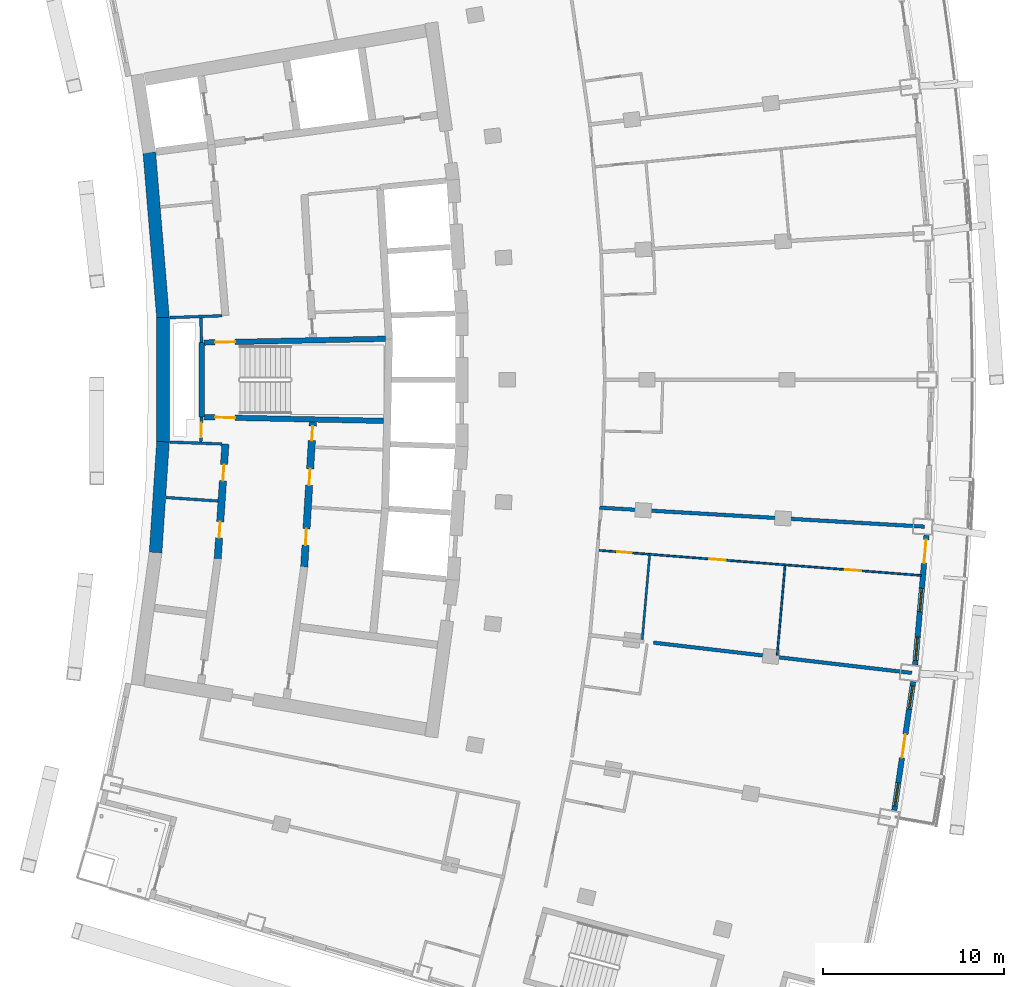
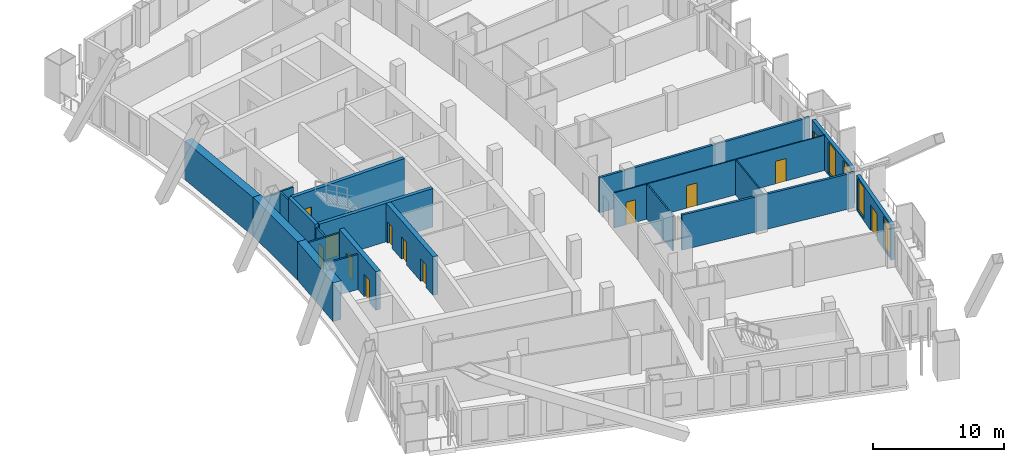
# One storey, part 12 of 19: 20 walls, 13 doors, 4 windows, 17 openings.
"""IFC4 building model written with IfcOpenShell, lengths in metres."""

from ifc_helpers import new_model, si_unit, direction, frame, frame_2d, origin, place, context, subcontext, project, spatial, rectangle, extrude, material, layer, layer_set, type_object, element, fill, save


model = new_model("IFC4")

# Units and contexts
model_context = context("Model", 3, precision=1e-05, world=origin(), true_north=direction((0.0, 1.0)))
body_context = subcontext(model_context, "Body", "Model", "MODEL_VIEW")
ifc_project = project(units=[si_unit("LENGTHUNIT", "METRE"), si_unit("AREAUNIT", "SQUARE_METRE"), si_unit("VOLUMEUNIT", "CUBIC_METRE"), si_unit("PLANEANGLEUNIT", "RADIAN"), si_unit("MASSUNIT", "GRAM", prefix="KILO")], contexts=[model_context])

# Site, building, storey
site_placement = place(None, origin())
site = spatial("IfcSite", under=ifc_project, at=site_placement, CompositionType="ELEMENT")
building_placement = place(site_placement, origin())
building = spatial("IfcBuilding", under=site, at=building_placement, Name="Alderwake Tower", CompositionType="ELEMENT")
storey_placement = place(building_placement, frame((0.0, 0.0, 171.199951171875)))
storey = spatial("IfcBuildingStorey", under=building, at=storey_placement, Name="L42", CompositionType="ELEMENT", Elevation=171.199951171875)

# Wall, opening, door
ifc_material_1 = material(Name="Gypsum shaft wall system, rated")
ifc_layer_1 = layer(ifc_material_1, 0.14990234375)
ifc_layer_set_1 = layer_set([ifc_layer_1], Name="Core room partition 150")
wall_type_1 = type_object("IfcWallType", Name="Core room partition 150", PredefinedType="PARTITIONING", material=ifc_layer_set_1)
wall_1_placement = place(storey_placement, frame((18.918701171875, 58.94384765625, 0.0), z_axis=(0.0, 0.0, 1.0), x_axis=(-0.027811602725, -0.999613182563, 0.0)))
wall_1 = element("IfcWall", 1, at=wall_1_placement, inside=storey, type_object=wall_type_1, Name="CW/L42/PA+24_-37", PredefinedType="PARTITIONING", context=body_context, shape_type="SweptSolid", body=[
    extrude(rectangle(XDim=1.369384765625, YDim=0.14990234375, at=frame_2d((0.6845703125, 0.0))), origin(), (0.0, 0.0, 1.0), 3.280029296875),
])
opening_1_placement = place(wall_1_placement, frame((0.322998046875, 0.0, 0.0)))
opening_1 = element("IfcOpeningElement", 2, at=opening_1_placement, cuts=wall_1, Name="Opening C004", PredefinedType="OPENING", context=body_context, shape_type="SweptSolid", body=[
    extrude(rectangle(XDim=0.800048828125, YDim=2.0, at=frame_2d((0.39990234375, 1.0))), frame((0.0, 0.0849609375, 0.0), z_axis=(0.0, -1.0, 0.0), x_axis=(1.0, 0.0, 0.0)), (0.0, 0.0, 1.0), 0.169921875),
])
ifc_material_2 = material(Name="Painted steel leaf, rated", Category="steel")
door_type_1 = type_object("IfcDoorType", Name="Riser access door 800", OperationType="SINGLE_SWING_LEFT", PredefinedType="DOOR", material=ifc_material_2)
door_1_placement = place(opening_1_placement, origin())
door_1 = element("IfcDoor", 3, at=door_1_placement, inside=storey, type_object=door_type_1, Name="Riser access door", OperationType="SINGLE_SWING_RIGHT", OverallHeight=2.0, OverallWidth=0.800048828125, PredefinedType="DOOR", context=body_context, shape_type="SweptSolid", body=[
    extrude(rectangle(XDim=0.800048828125, YDim=2.0, at=frame_2d((0.39990234375, 1.0))), frame((0.0, 0.02490234375, 0.0), z_axis=(0.0, -1.0, 0.0), x_axis=(1.0, 0.0, 0.0)), (0.0, 0.0, 1.0), 0.050048828125),
])
fill(opening_1, door_1)

# Walls
wall_2_placement = place(storey_placement, frame((18.918701171875, 63.05517578125, 0.0), z_axis=(0.0, 0.0, 1.0), x_axis=(-0.027791791559, 0.99961373356, 0.0)))
element("IfcWall", 4, at=wall_2_placement, inside=storey, type_object=wall_type_1, Name="CW/L42/PA+24_+22", PredefinedType="PARTITIONING", context=body_context, shape_type="SweptSolid", body=[
    extrude(rectangle(XDim=1.370361328125, YDim=0.14990234375, at=frame_2d((0.68505859375, 0.0))), origin(), (0.0, 0.0, 1.0), 3.280029296875),
])
wall_3_placement = place(storey_placement, frame((16.964111328125, 54.49951171875, 0.0), z_axis=(0.0, 0.0, 1.0), x_axis=(0.997759473015, -0.066903168895, 0.0)))
element("IfcWall", 5, at=wall_3_placement, inside=storey, type_object=wall_type_1, Name="CW/L42/PR-70_+0", PredefinedType="PARTITIONING", context=body_context, shape_type="SweptSolid", body=[
    extrude(rectangle(XDim=2.8681640625, YDim=0.14990234375, at=frame_2d((1.43408203125, 0.0))), origin(), (0.0, 0.0, 1.0), 3.280029296875),
])
wall_4_placement = place(storey_placement, frame((17.169189453125, 57.560546875, 0.0), z_axis=(0.0, 0.0, 1.0), x_axis=(0.999373538371, -0.03539111194, 0.0)))
element("IfcWall", 6, at=wall_4_placement, inside=storey, type_object=wall_type_1, Name="CW/L42/PR-37_+0", PredefinedType="PARTITIONING", context=body_context, shape_type="SweptSolid", body=[
    extrude(rectangle(XDim=2.86962890625, YDim=0.14990234375, at=frame_2d((1.434814453125, 0.0))), origin(), (0.0, 0.0, 1.0), 3.280029296875),
])
wall_5_placement = place(storey_placement, frame((17.16943359375, 64.439453125, 0.0), z_axis=(0.0, 0.0, 1.0), x_axis=(0.999373431798, 0.035394121201, 0.0)))
element("IfcWall", 7, at=wall_5_placement, inside=storey, type_object=wall_type_1, Name="CW/L42/PR+37_+0", PredefinedType="PARTITIONING", context=body_context, shape_type="SweptSolid", body=[
    extrude(rectangle(XDim=2.869384765625, YDim=0.14990234375, at=frame_2d((1.4345703125, 0.0))), origin(), (0.0, 0.0, 1.0), 3.280029296875),
])
ifc_material_3 = material(Name="Concrete C70/85", Category="concrete")
ifc_layer_2 = layer(ifc_material_3, 0.699951171875)
ifc_layer_set_2 = layer_set([ifc_layer_2], Name="Core wall outer 700 C70-85")
wall_type_2 = type_object("IfcWallType", Name="Core wall outer 700 C70-85", PredefinedType="SHEAR", material=ifc_layer_set_2)
wall_6_placement = place(storey_placement, frame((16.379638671875, 51.46337890625, 0.0), z_axis=(0.0, 0.0, 1.0), x_axis=(0.066917731608, 0.997758496429, 0.0)))
element("IfcWall", 8, at=wall_6_placement, inside=storey, type_object=wall_type_2, Name="Core wall CW.041", PredefinedType="SHEAR", context=body_context, shape_type="SweptSolid", body=[
    extrude(rectangle(XDim=6.136474609375, YDim=0.699951171875, at=frame_2d((3.068359375, 0.0))), origin(), (0.0, 0.0, 1.0), 3.60009765625),
])
wall_7_placement = place(storey_placement, frame((16.789306640625, 57.561767578125, 0.0), z_axis=(0.0, 0.0, 1.0), x_axis=(0.0, 1.0, 0.0)))
element("IfcWall", 9, at=wall_7_placement, inside=storey, type_object=wall_type_2, Name="Core wall CW.043", PredefinedType="SHEAR", context=body_context, shape_type="SweptSolid", body=[
    extrude(rectangle(XDim=6.87939453125, YDim=0.699951171875, at=frame_2d((3.439697265625, 0.0))), origin(), (0.0, 0.0, 1.0), 3.60009765625),
])
wall_8_placement = place(storey_placement, frame((16.79052734375, 64.4111328125, 0.0), z_axis=(0.0, 0.0, 1.0), x_axis=(-0.082616907099, 0.996581379849, 0.0)))
element("IfcWall", 10, at=wall_8_placement, inside=storey, type_object=wall_type_2, Name="Core wall CW.040", PredefinedType="SHEAR", context=body_context, shape_type="SweptSolid", body=[
    extrude(rectangle(XDim=9.193359375, YDim=0.699951171875, at=frame_2d((4.5966796875, 0.0))), origin(), (0.0, 0.0, 1.0), 3.60009765625),
])

# Wall, openings, doors
ifc_material_4 = material(Name="Concrete C70/85", Category="concrete")
ifc_layer_3 = layer(ifc_material_4, 0.39990234375)
ifc_layer_set_3 = layer_set([ifc_layer_3], Name="Core wall spine 400 C70-85")
wall_type_3 = type_object("IfcWallType", Name="Core wall spine 400 C70-85", PredefinedType="SHEAR", material=ifc_layer_set_3)
wall_9_placement = place(storey_placement, frame((20.2373046875, 57.451904296875, 0.0), z_axis=(0.0, 0.0, 1.0), x_axis=(-0.066887252767, -0.997760540118, 0.0)))
wall_9 = element("IfcWall", 11, at=wall_9_placement, inside=storey, type_object=wall_type_3, Name="Core wall CW.032", PredefinedType="SHEAR", context=body_context, shape_type="SweptSolid", body=[
    extrude(rectangle(XDim=6.33642578125, YDim=0.39990234375, at=frame_2d((3.168212890625, 0.0))), origin(), (0.0, 0.0, 1.0), 3.60009765625),
])
opening_2_placement = place(wall_9_placement, frame((4.29736328125, 0.0, 0.0)))
opening_2 = element("IfcOpeningElement", 12, at=opening_2_placement, cuts=wall_9, Name="Opening C038", PredefinedType="OPENING", context=body_context, shape_type="SweptSolid", body=[
    extrude(rectangle(XDim=0.89990234375, YDim=2.10009765625, at=frame_2d((0.449951171875, 1.050048828125))), frame((0.0, 0.2099609375, 0.0), z_axis=(0.0, -1.0, 0.0), x_axis=(1.0, 0.0, 0.0)), (0.0, 0.0, 1.0), 0.419921875),
])
opening_3_placement = place(wall_9_placement, frame((1.132080078125, 0.0, 0.0)))
opening_3 = element("IfcOpeningElement", 13, at=opening_3_placement, cuts=wall_9, Name="Opening C042", PredefinedType="OPENING", context=body_context, shape_type="SweptSolid", body=[
    extrude(rectangle(XDim=0.89990234375, YDim=2.10009765625, at=frame_2d((0.449951171875, 1.050048828125))), frame((0.0, 0.2099609375, 0.0), z_axis=(0.0, -1.0, 0.0), x_axis=(1.0, 0.0, 0.0)), (0.0, 0.0, 1.0), 0.419921875),
])
ifc_material_5 = material(Name="Painted steel leaf", Category="steel")
door_type_2 = type_object("IfcDoorType", Name="Core room door 900", OperationType="SINGLE_SWING_LEFT", PredefinedType="DOOR", material=ifc_material_5)
door_2_placement = place(opening_2_placement, origin())
door_2 = element("IfcDoor", 14, at=door_2_placement, inside=storey, type_object=door_type_2, Name="Room door", OperationType="SINGLE_SWING_RIGHT", OverallHeight=2.10009765625, OverallWidth=0.89990234375, PredefinedType="DOOR", context=body_context, shape_type="SweptSolid", body=[
    extrude(rectangle(XDim=0.89990234375, YDim=2.10009765625, at=frame_2d((0.449951171875, 1.050048828125))), frame((0.0, 0.02490234375, 0.0), z_axis=(0.0, -1.0, 0.0), x_axis=(1.0, 0.0, 0.0)), (0.0, 0.0, 1.0), 0.050048828125),
])
fill(opening_2, door_2)
door_3_placement = place(opening_3_placement, origin())
door_3 = element("IfcDoor", 15, at=door_3_placement, inside=storey, type_object=door_type_2, Name="Room door", OperationType="SINGLE_SWING_LEFT", OverallHeight=2.10009765625, OverallWidth=0.89990234375, PredefinedType="DOOR", context=body_context, shape_type="SweptSolid", body=[
    extrude(rectangle(XDim=0.89990234375, YDim=2.10009765625, at=frame_2d((0.449951171875, 1.050048828125))), frame((0.0, 0.02490234375, 0.0), z_axis=(0.0, -1.0, 0.0), x_axis=(1.0, 0.0, 0.0)), (0.0, 0.0, 1.0), 0.050048828125),
])
fill(opening_3, door_3)

wall_10_placement = place(storey_placement, frame((24.590087890625, 50.656982421875, 0.0), z_axis=(0.0, 0.0, 1.0), x_axis=(0.060320473855, 0.99817906231, 0.0)))
wall_10 = element("IfcWall", 16, at=wall_10_placement, inside=storey, type_object=wall_type_3, Name="Core wall CW.046", PredefinedType="SHEAR", context=body_context, shape_type="SweptSolid", body=[
    extrude(rectangle(XDim=8.02197265625, YDim=0.39990234375, at=frame_2d((4.010986328125, 0.0))), origin(), (0.0, 0.0, 1.0), 3.60009765625),
])
opening_4_placement = place(wall_10_placement, frame((7.005859375, 0.0, 0.0)))
opening_4 = element("IfcOpeningElement", 17, at=opening_4_placement, cuts=wall_10, Name="Opening C006", PredefinedType="OPENING", context=body_context, shape_type="SweptSolid", body=[
    extrude(rectangle(XDim=0.800048828125, YDim=2.0, at=frame_2d((0.39990234375, 1.0))), frame((0.0, 0.2099609375, 0.0), z_axis=(0.0, -1.0, 0.0), x_axis=(1.0, 0.0, 0.0)), (0.0, 0.0, 1.0), 0.419921875),
])
opening_5_placement = place(wall_10_placement, frame((1.21533203125, 0.0, 0.0)))
opening_5 = element("IfcOpeningElement", 18, at=opening_5_placement, cuts=wall_10, Name="Opening C044", PredefinedType="OPENING", context=body_context, shape_type="SweptSolid", body=[
    extrude(rectangle(XDim=0.89990234375, YDim=2.10009765625, at=frame_2d((0.449951171875, 1.050048828125))), frame((0.0, 0.2099609375, 0.0), z_axis=(0.0, -1.0, 0.0), x_axis=(1.0, 0.0, 0.0)), (0.0, 0.0, 1.0), 0.419921875),
])
opening_6_placement = place(wall_10_placement, frame((4.53173828125, 0.0, 0.0)))
opening_6 = element("IfcOpeningElement", 19, at=opening_6_placement, cuts=wall_10, Name="Opening C048", PredefinedType="OPENING", context=body_context, shape_type="SweptSolid", body=[
    extrude(rectangle(XDim=0.89990234375, YDim=2.10009765625, at=frame_2d((0.449951171875, 1.050048828125))), frame((0.0, 0.2099609375, 0.0), z_axis=(0.0, -1.0, 0.0), x_axis=(1.0, 0.0, 0.0)), (0.0, 0.0, 1.0), 0.419921875),
])
door_4_placement = place(opening_5_placement, origin())
door_4 = element("IfcDoor", 20, at=door_4_placement, inside=storey, type_object=door_type_2, Name="Room door", OperationType="SINGLE_SWING_RIGHT", OverallHeight=2.10009765625, OverallWidth=0.89990234375, PredefinedType="DOOR", context=body_context, shape_type="SweptSolid", body=[
    extrude(rectangle(XDim=0.89990234375, YDim=2.10009765625, at=frame_2d((0.449951171875, 1.050048828125))), frame((0.0, 0.02490234375, 0.0), z_axis=(0.0, -1.0, 0.0), x_axis=(1.0, 0.0, 0.0)), (0.0, 0.0, 1.0), 0.050048828125),
])
fill(opening_5, door_4)
door_5_placement = place(opening_6_placement, origin())
door_5 = element("IfcDoor", 21, at=door_5_placement, inside=storey, type_object=door_type_2, Name="Room door", OperationType="SINGLE_SWING_LEFT", OverallHeight=2.10009765625, OverallWidth=0.89990234375, PredefinedType="DOOR", context=body_context, shape_type="SweptSolid", body=[
    extrude(rectangle(XDim=0.89990234375, YDim=2.10009765625, at=frame_2d((0.449951171875, 1.050048828125))), frame((0.0, 0.02490234375, 0.0), z_axis=(0.0, -1.0, 0.0), x_axis=(1.0, 0.0, 0.0)), (0.0, 0.0, 1.0), 0.050048828125),
])
fill(opening_6, door_5)
door_6_placement = place(opening_4_placement, origin())
door_6 = element("IfcDoor", 22, at=door_6_placement, inside=storey, type_object=door_type_1, Name="Riser access door", OperationType="SINGLE_SWING_RIGHT", OverallHeight=2.0, OverallWidth=0.800048828125, PredefinedType="DOOR", context=body_context, shape_type="SweptSolid", body=[
    extrude(rectangle(XDim=0.800048828125, YDim=2.0, at=frame_2d((0.39990234375, 1.0))), frame((0.0, 0.02490234375, 0.0), z_axis=(0.0, -1.0, 0.0), x_axis=(1.0, 0.0, 0.0)), (0.0, 0.0, 1.0), 0.050048828125),
])
fill(opening_4, door_6)

# Wall
ifc_material_6 = material(Name="Concrete C70/85", Category="concrete")
ifc_layer_4 = layer(ifc_material_6, 0.300048828125)
ifc_layer_set_4 = layer_set([ifc_layer_4], Name="Core wall stair enclosure 300 C70-85")
wall_type_4 = type_object("IfcWallType", Name="Core wall stair enclosure 300 C70-85", PredefinedType="SHEAR", material=ifc_layer_set_4)
wall_11_placement = place(storey_placement, frame((18.918701171875, 58.940673828125, 0.0), z_axis=(0.0, 0.0, 1.0), x_axis=(0.0, 1.0, 0.0)))
element("IfcWall", 23, at=wall_11_placement, inside=storey, type_object=wall_type_4, Name="Core wall CW.024", PredefinedType="SHEAR", context=body_context, shape_type="SweptSolid", body=[
    extrude(rectangle(XDim=4.11962890625, YDim=0.300048828125, at=frame_2d((2.059814453125, 0.0))), origin(), (0.0, 0.0, 1.0), 3.60009765625),
])

# Wall, opening, door
wall_12_placement = place(storey_placement, frame((28.975830078125, 58.733154296875, 0.0), z_axis=(0.0, 0.0, 1.0), x_axis=(-0.999783782948, 0.020793925895, 0.0)))
wall_12 = element("IfcWall", 24, at=wall_12_placement, inside=storey, type_object=wall_type_4, Name="Core wall CW.074", PredefinedType="SHEAR", context=body_context, shape_type="SweptSolid", body=[
    extrude(rectangle(XDim=9.909423828125, YDim=0.300048828125, at=frame_2d((4.95458984375, 0.0))), origin(), (0.0, 0.0, 1.0), 3.60009765625),
])
opening_7_placement = place(wall_12_placement, frame((8.20947265625, 0.0, 0.0)))
opening_7 = element("IfcOpeningElement", 25, at=opening_7_placement, cuts=wall_12, Name="Opening C063", PredefinedType="OPENING", context=body_context, shape_type="SweptSolid", body=[
    extrude(rectangle(XDim=1.10009765625, YDim=2.10009765625, at=frame_2d((0.550048828125, 1.050048828125))), frame((0.0, 0.159912109375, 0.0), z_axis=(0.0, -1.0, 0.0), x_axis=(1.0, 0.0, 0.0)), (0.0, 0.0, 1.0), 0.320068359375),
])
ifc_material_7 = material(Name="Steel-framed fire door leaf", Category="steel")
door_type_3 = type_object("IfcDoorType", Name="Core stair door 1100 fire-rated", OperationType="SINGLE_SWING_LEFT", PredefinedType="DOOR", material=ifc_material_7)
door_7_placement = place(opening_7_placement, origin())
door_7 = element("IfcDoor", 26, at=door_7_placement, inside=storey, type_object=door_type_3, Name="Stair door", OperationType="SINGLE_SWING_LEFT", OverallHeight=2.10009765625, OverallWidth=1.10009765625, PredefinedType="DOOR", context=body_context, shape_type="SweptSolid", body=[
    extrude(rectangle(XDim=1.10009765625, YDim=2.10009765625, at=frame_2d((0.550048828125, 1.050048828125))), frame((0.0, 0.02490234375, 0.0), z_axis=(0.0, -1.0, 0.0), x_axis=(1.0, 0.0, 0.0)), (0.0, 0.0, 1.0), 0.050048828125),
])
fill(opening_7, door_7)

wall_13_placement = place(storey_placement, frame((19.068603515625, 63.060791015625, 0.0), z_axis=(0.0, 0.0, 1.0), x_axis=(0.999783553773, 0.02080494185, 0.0)))
wall_13 = element("IfcWall", 27, at=wall_13_placement, inside=storey, type_object=wall_type_4, Name="Core wall CW.057", PredefinedType="SHEAR", context=body_context, shape_type="SweptSolid", body=[
    extrude(rectangle(XDim=10.009765625, YDim=0.300048828125, at=frame_2d((5.0048828125, 0.0))), origin(), (0.0, 0.0, 1.0), 3.60009765625),
])
opening_8_placement = place(wall_13_placement, frame((0.60009765625, 0.0, 0.0)))
opening_8 = element("IfcOpeningElement", 28, at=opening_8_placement, cuts=wall_13, Name="Opening C064", PredefinedType="OPENING", context=body_context, shape_type="SweptSolid", body=[
    extrude(rectangle(XDim=1.10009765625, YDim=2.10009765625, at=frame_2d((0.550048828125, 1.050048828125))), frame((0.0, 0.159912109375, 0.0), z_axis=(0.0, -1.0, 0.0), x_axis=(1.0, 0.0, 0.0)), (0.0, 0.0, 1.0), 0.320068359375),
])
door_8_placement = place(opening_8_placement, origin())
door_8 = element("IfcDoor", 29, at=door_8_placement, inside=storey, type_object=door_type_3, Name="Stair door", OperationType="SINGLE_SWING_RIGHT", OverallHeight=2.10009765625, OverallWidth=1.10009765625, PredefinedType="DOOR", context=body_context, shape_type="SweptSolid", body=[
    extrude(rectangle(XDim=1.10009765625, YDim=2.10009765625, at=frame_2d((0.550048828125, 1.050048828125))), frame((0.0, 0.02490234375, 0.0), z_axis=(0.0, -1.0, 0.0), x_axis=(1.0, 0.0, 0.0)), (0.0, 0.0, 1.0), 0.050048828125),
])
fill(opening_8, door_8)

# Wall, openings, door, windows
ifc_material_8 = material(Name="Precast concrete C50/60 spandrel panel", Category="concrete")
ifc_layer_5 = layer(ifc_material_8, 0.300048828125)
ifc_layer_set_5 = layer_set([ifc_layer_5], Name="External wall EW1 Precast concrete C50/60 spandrel")
wall_type_5 = type_object("IfcWallType", Name="External wall EW1 Precast concrete C50/60 spandrel", PredefinedType="SOLIDWALL", material=ifc_layer_set_5)
wall_14_placement = place(storey_placement, frame((57.19189453125, 37.2236328125, 0.0), z_axis=(0.0, 0.0, 1.0), x_axis=(0.145316694365, 0.989385192096, 0.0)))
wall_14 = element("IfcWall", 30, at=wall_14_placement, inside=storey, type_object=wall_type_5, Name="External wall 13", PredefinedType="SOLIDWALL", context=body_context, shape_type="SweptSolid", body=[
    extrude(rectangle(XDim=7.175537109375, YDim=0.300048828125, at=frame_2d((3.587890625, 0.0))), origin(), (0.0, 0.0, 1.0), 3.280029296875),
])
opening_9_placement = place(wall_14_placement, frame((0.2353515625, 0.0, 0.199951171875)))
opening_9 = element("IfcOpeningElement", 31, at=opening_9_placement, cuts=wall_14, Name="Opening W1", PredefinedType="OPENING", context=body_context, shape_type="SweptSolid", body=[
    extrude(rectangle(XDim=1.300048828125, YDim=2.89990234375, at=frame_2d((0.64990234375, 1.449951171875))), frame((0.0, 0.159912109375, 0.0), z_axis=(0.0, -1.0, 0.0), x_axis=(1.0, 0.0, 0.0)), (0.0, 0.0, 1.0), 0.320068359375),
])
opening_10_placement = place(wall_14_placement, frame((2.937744140625, 0.0, 0.0)))
opening_10 = element("IfcOpeningElement", 32, at=opening_10_placement, cuts=wall_14, Name="Opening D02", PredefinedType="OPENING", context=body_context, shape_type="SweptSolid", body=[
    extrude(rectangle(XDim=1.300048828125, YDim=2.39990234375, at=frame_2d((0.64990234375, 1.199951171875))), frame((0.0, 0.159912109375, 0.0), z_axis=(0.0, -1.0, 0.0), x_axis=(1.0, 0.0, 0.0)), (0.0, 0.0, 1.0), 0.320068359375),
])
opening_11_placement = place(wall_14_placement, frame((5.64013671875, 0.0, 0.199951171875)))
opening_11 = element("IfcOpeningElement", 33, at=opening_11_placement, cuts=wall_14, Name="Opening W1", PredefinedType="OPENING", context=body_context, shape_type="SweptSolid", body=[
    extrude(rectangle(XDim=1.300048828125, YDim=2.89990234375, at=frame_2d((0.64990234375, 1.449951171875))), frame((0.0, 0.159912109375, 0.0), z_axis=(0.0, -1.0, 0.0), x_axis=(1.0, 0.0, 0.0)), (0.0, 0.0, 1.0), 0.320068359375),
])
ifc_material_9 = material(Name="Bronze tinted glass in aluminium frame", Category="aluminium")
door_type_4 = type_object("IfcDoorType", Name="Balcony door BD sliding", OperationType="SLIDING_TO_LEFT", PredefinedType="DOOR", material=ifc_material_9)
door_9_placement = place(opening_10_placement, origin())
door_9 = element("IfcDoor", 34, at=door_9_placement, inside=storey, type_object=door_type_4, Name="Door D02", OperationType="SLIDING_TO_LEFT", OverallHeight=2.39990234375, OverallWidth=1.300048828125, PredefinedType="DOOR", context=body_context, shape_type="SweptSolid", body=[
    extrude(rectangle(XDim=1.300048828125, YDim=2.39990234375, at=frame_2d((0.64990234375, 1.199951171875))), frame((0.0, 0.02490234375, 0.0), z_axis=(0.0, -1.0, 0.0), x_axis=(1.0, 0.0, 0.0)), (0.0, 0.0, 1.0), 0.050048828125),
])
fill(opening_10, door_9)
ifc_material_10 = material(Name="Bronze tinted glass in aluminium frame", Category="aluminium")
window_type = type_object("IfcWindowType", Name="Window W1 tall fixed and vent", PartitioningType="DOUBLE_PANEL_VERTICAL", PredefinedType="WINDOW", material=ifc_material_10)
window_1_placement = place(opening_9_placement, origin())
window_1 = element("IfcWindow", 35, at=window_1_placement, inside=storey, type_object=window_type, Name="Window W1 tall fixed and vent", OverallHeight=2.89990234375, OverallWidth=1.300048828125, PartitioningType="DOUBLE_PANEL_VERTICAL", PredefinedType="WINDOW", context=body_context, shape_type="SweptSolid", body=[
    extrude(rectangle(XDim=1.300048828125, YDim=2.89990234375, at=frame_2d((0.64990234375, 1.449951171875))), frame((0.0, 0.030029296875, 0.0), z_axis=(0.0, -1.0, 0.0), x_axis=(1.0, 0.0, 0.0)), (0.0, 0.0, 1.0), 0.06005859375),
])
fill(opening_9, window_1)
window_2_placement = place(opening_11_placement, origin())
window_2 = element("IfcWindow", 36, at=window_2_placement, inside=storey, type_object=window_type, Name="Window W1 tall fixed and vent", OverallHeight=2.89990234375, OverallWidth=1.300048828125, PartitioningType="DOUBLE_PANEL_VERTICAL", PredefinedType="WINDOW", context=body_context, shape_type="SweptSolid", body=[
    extrude(rectangle(XDim=1.300048828125, YDim=2.89990234375, at=frame_2d((0.64990234375, 1.449951171875))), frame((0.0, 0.030029296875, 0.0), z_axis=(0.0, -1.0, 0.0), x_axis=(1.0, 0.0, 0.0)), (0.0, 0.0, 1.0), 0.06005859375),
])
fill(opening_11, window_2)

wall_15_placement = place(storey_placement, frame((58.3447265625, 45.26220703125, 0.0), z_axis=(0.0, 0.0, 1.0), x_axis=(0.087372493124, 0.99617571113, 0.0)))
wall_15 = element("IfcWall", 37, at=wall_15_placement, inside=storey, type_object=wall_type_5, Name="External wall 14", PredefinedType="SOLIDWALL", context=body_context, shape_type="SweptSolid", body=[
    extrude(rectangle(XDim=7.175537109375, YDim=0.300048828125, at=frame_2d((3.587890625, 0.0))), origin(), (0.0, 0.0, 1.0), 3.280029296875),
])
opening_12_placement = place(wall_15_placement, frame((0.2353515625, 0.0, 0.199951171875)))
opening_12 = element("IfcOpeningElement", 38, at=opening_12_placement, cuts=wall_15, Name="Opening W1", PredefinedType="OPENING", context=body_context, shape_type="SweptSolid", body=[
    extrude(rectangle(XDim=1.300048828125, YDim=2.89990234375, at=frame_2d((0.64990234375, 1.449951171875))), frame((0.0, 0.159912109375, 0.0), z_axis=(0.0, -1.0, 0.0), x_axis=(1.0, 0.0, 0.0)), (0.0, 0.0, 1.0), 0.320068359375),
])
opening_13_placement = place(wall_15_placement, frame((2.937744140625, 0.0, 0.199951171875)))
opening_13 = element("IfcOpeningElement", 39, at=opening_13_placement, cuts=wall_15, Name="Opening W1", PredefinedType="OPENING", context=body_context, shape_type="SweptSolid", body=[
    extrude(rectangle(XDim=1.300048828125, YDim=2.89990234375, at=frame_2d((0.64990234375, 1.449951171875))), frame((0.0, 0.159912109375, 0.0), z_axis=(0.0, -1.0, 0.0), x_axis=(1.0, 0.0, 0.0)), (0.0, 0.0, 1.0), 0.320068359375),
])
opening_14_placement = place(wall_15_placement, frame((5.64013671875, 0.0, 0.0)))
opening_14 = element("IfcOpeningElement", 40, at=opening_14_placement, cuts=wall_15, Name="Opening D03", PredefinedType="OPENING", context=body_context, shape_type="SweptSolid", body=[
    extrude(rectangle(XDim=1.300048828125, YDim=2.39990234375, at=frame_2d((0.64990234375, 1.199951171875))), frame((0.0, 0.159912109375, 0.0), z_axis=(0.0, -1.0, 0.0), x_axis=(1.0, 0.0, 0.0)), (0.0, 0.0, 1.0), 0.320068359375),
])
door_10_placement = place(opening_14_placement, origin())
door_10 = element("IfcDoor", 41, at=door_10_placement, inside=storey, type_object=door_type_4, Name="Door D03", OperationType="SLIDING_TO_LEFT", OverallHeight=2.39990234375, OverallWidth=1.300048828125, PredefinedType="DOOR", context=body_context, shape_type="SweptSolid", body=[
    extrude(rectangle(XDim=1.300048828125, YDim=2.39990234375, at=frame_2d((0.64990234375, 1.199951171875))), frame((0.0, 0.02490234375, 0.0), z_axis=(0.0, -1.0, 0.0), x_axis=(1.0, 0.0, 0.0)), (0.0, 0.0, 1.0), 0.050048828125),
])
fill(opening_14, door_10)
window_3_placement = place(opening_12_placement, origin())
window_3 = element("IfcWindow", 42, at=window_3_placement, inside=storey, type_object=window_type, Name="Window W1 tall fixed and vent", OverallHeight=2.89990234375, OverallWidth=1.300048828125, PartitioningType="DOUBLE_PANEL_VERTICAL", PredefinedType="WINDOW", context=body_context, shape_type="SweptSolid", body=[
    extrude(rectangle(XDim=1.300048828125, YDim=2.89990234375, at=frame_2d((0.64990234375, 1.449951171875))), frame((0.0, 0.030029296875, 0.0), z_axis=(0.0, -1.0, 0.0), x_axis=(1.0, 0.0, 0.0)), (0.0, 0.0, 1.0), 0.06005859375),
])
fill(opening_12, window_3)
window_4_placement = place(opening_13_placement, origin())
window_4 = element("IfcWindow", 43, at=window_4_placement, inside=storey, type_object=window_type, Name="Window W1 tall fixed and vent", OverallHeight=2.89990234375, OverallWidth=1.300048828125, PartitioningType="DOUBLE_PANEL_VERTICAL", PredefinedType="WINDOW", context=body_context, shape_type="SweptSolid", body=[
    extrude(rectangle(XDim=1.300048828125, YDim=2.89990234375, at=frame_2d((0.64990234375, 1.449951171875))), frame((0.0, 0.030029296875, 0.0), z_axis=(0.0, -1.0, 0.0), x_axis=(1.0, 0.0, 0.0)), (0.0, 0.0, 1.0), 0.06005859375),
])
fill(opening_13, window_4)

# Walls
ifc_material_11 = material(Name="Dense block masonry wall", Category="masonry")
ifc_layer_6 = layer(ifc_material_11, 0.199951171875)
ifc_layer_set_6 = layer_set([ifc_layer_6], Name="Party wall 200")
wall_type_6 = type_object("IfcWallType", Name="Party wall 200", PredefinedType="SOLIDWALL", material=ifc_layer_set_6)
wall_16_placement = place(storey_placement, frame((58.155029296875, 44.80810546875, 0.0), z_axis=(0.0, 0.0, 1.0), x_axis=(-0.993188942444, 0.11651491152, 0.0)))
element("IfcWall", 44, at=wall_16_placement, inside=storey, type_object=wall_type_6, Name="WL/L42/W04", PredefinedType="SOLIDWALL", context=body_context, shape_type="SweptSolid", body=[
    extrude(rectangle(XDim=14.367919921875, YDim=0.199951171875, at=frame_2d((7.18408203125, 0.0))), origin(), (0.0, 0.0, 1.0), 3.280029296875),
])
wall_17_placement = place(storey_placement, frame((58.863037109375, 52.889892578125, 0.0), z_axis=(0.0, 0.0, 1.0), x_axis=(-0.998296916023, 0.058337530453, 0.0)))
element("IfcWall", 45, at=wall_17_placement, inside=storey, type_object=wall_type_6, Name="WL/L42/W06", PredefinedType="SOLIDWALL", context=body_context, shape_type="SweptSolid", body=[
    extrude(rectangle(XDim=17.978515625, YDim=0.199951171875, at=frame_2d((8.9892578125, 0.0))), origin(), (0.0, 0.0, 1.0), 3.280029296875),
])

# Wall, openings, doors
ifc_material_12 = material(Name="Gypsum board on metal studs")
ifc_layer_7 = layer(ifc_material_12, 0.10009765625)
ifc_layer_set_7 = layer_set([ifc_layer_7], Name="Unit partition 100")
wall_type_7 = type_object("IfcWallType", Name="Unit partition 100", PredefinedType="PARTITIONING", material=ifc_layer_set_7)
wall_18_placement = place(storey_placement, frame((58.677001953125, 50.193115234375, 0.0), z_axis=(0.0, 0.0, 1.0), x_axis=(-0.996973704915, 0.077739511879, 0.0)))
wall_18 = element("IfcWall", 46, at=wall_18_placement, inside=storey, type_object=wall_type_7, Name="WL/L42/W53", PredefinedType="PARTITIONING", context=body_context, shape_type="SweptSolid", body=[
    extrude(rectangle(XDim=17.863037109375, YDim=0.10009765625, at=frame_2d((8.931640625, 0.0))), origin(), (0.0, 0.0, 1.0), 3.280029296875),
])
opening_15_placement = place(wall_18_placement, frame((10.841796875, 0.0, 0.0)))
opening_15 = element("IfcOpeningElement", 47, at=opening_15_placement, cuts=wall_18, Name="Opening R12-U04.1", PredefinedType="OPENING", context=body_context, shape_type="SweptSolid", body=[
    extrude(rectangle(XDim=0.89990234375, YDim=2.10009765625, at=frame_2d((0.449951171875, 1.050048828125))), frame((0.0, 0.06005859375, 0.0), z_axis=(0.0, -1.0, 0.0), x_axis=(1.0, 0.0, 0.0)), (0.0, 0.0, 1.0), 0.1201171875),
])
opening_16_placement = place(wall_18_placement, frame((16.0537109375, 0.0, 0.0)))
opening_16 = element("IfcOpeningElement", 48, at=opening_16_placement, cuts=wall_18, Name="Opening R12-U04.3", PredefinedType="OPENING", context=body_context, shape_type="SweptSolid", body=[
    extrude(rectangle(XDim=0.800048828125, YDim=2.10009765625, at=frame_2d((0.39990234375, 1.050048828125))), frame((0.0, 0.06005859375, 0.0), z_axis=(0.0, -1.0, 0.0), x_axis=(1.0, 0.0, 0.0)), (0.0, 0.0, 1.0), 0.1201171875),
])
opening_17_placement = place(wall_18_placement, frame((3.320068359375, 0.0, 0.0)))
opening_17 = element("IfcOpeningElement", 49, at=opening_17_placement, cuts=wall_18, Name="Opening R12-U04.4", PredefinedType="OPENING", context=body_context, shape_type="SweptSolid", body=[
    extrude(rectangle(XDim=0.89990234375, YDim=2.10009765625, at=frame_2d((0.449951171875, 1.050048828125))), frame((0.0, 0.06005859375, 0.0), z_axis=(0.0, -1.0, 0.0), x_axis=(1.0, 0.0, 0.0)), (0.0, 0.0, 1.0), 0.1201171875),
])
ifc_material_13 = material(Name="Painted timber leaf", Category="wood")
door_type_5 = type_object("IfcDoorType", Name="Bathroom door 800", OperationType="SINGLE_SWING_LEFT", PredefinedType="DOOR", material=ifc_material_13)
door_11_placement = place(opening_16_placement, origin())
door_11 = element("IfcDoor", 50, at=door_11_placement, inside=storey, type_object=door_type_5, Name="DR/L42/U04.3", OperationType="SINGLE_SWING_LEFT", OverallHeight=2.10009765625, OverallWidth=0.800048828125, PredefinedType="DOOR", context=body_context, shape_type="SweptSolid", body=[
    extrude(rectangle(XDim=0.800048828125, YDim=2.10009765625, at=frame_2d((0.39990234375, 1.050048828125))), frame((0.0, 0.02490234375, 0.0), z_axis=(0.0, -1.0, 0.0), x_axis=(1.0, 0.0, 0.0)), (0.0, 0.0, 1.0), 0.050048828125),
])
fill(opening_16, door_11)
ifc_material_14 = material(Name="Painted timber leaf", Category="wood")
door_type_6 = type_object("IfcDoorType", Name="Room door 900", OperationType="SINGLE_SWING_LEFT", PredefinedType="DOOR", material=ifc_material_14)
door_12_placement = place(opening_15_placement, origin())
door_12 = element("IfcDoor", 51, at=door_12_placement, inside=storey, type_object=door_type_6, Name="DR/L42/U04.1", OperationType="SINGLE_SWING_LEFT", OverallHeight=2.10009765625, OverallWidth=0.89990234375, PredefinedType="DOOR", context=body_context, shape_type="SweptSolid", body=[
    extrude(rectangle(XDim=0.89990234375, YDim=2.10009765625, at=frame_2d((0.449951171875, 1.050048828125))), frame((0.0, 0.02490234375, 0.0), z_axis=(0.0, -1.0, 0.0), x_axis=(1.0, 0.0, 0.0)), (0.0, 0.0, 1.0), 0.050048828125),
])
fill(opening_15, door_12)
door_13_placement = place(opening_17_placement, origin())
door_13 = element("IfcDoor", 52, at=door_13_placement, inside=storey, type_object=door_type_6, Name="DR/L42/U04.4", OperationType="SINGLE_SWING_LEFT", OverallHeight=2.10009765625, OverallWidth=0.89990234375, PredefinedType="DOOR", context=body_context, shape_type="SweptSolid", body=[
    extrude(rectangle(XDim=0.89990234375, YDim=2.10009765625, at=frame_2d((0.449951171875, 1.050048828125))), frame((0.0, 0.02490234375, 0.0), z_axis=(0.0, -1.0, 0.0), x_axis=(1.0, 0.0, 0.0)), (0.0, 0.0, 1.0), 0.050048828125),
])
fill(opening_17, door_13)

# Walls
wall_19_placement = place(storey_placement, frame((50.720703125, 45.78076171875, 0.0), z_axis=(0.0, 0.0, 1.0), x_axis=(0.087352937881, 0.996177426086, 0.0)))
element("IfcWall", 53, at=wall_19_placement, inside=storey, type_object=wall_type_7, Name="WL/L42/W54", PredefinedType="PARTITIONING", context=body_context, shape_type="SweptSolid", body=[
    extrude(rectangle(XDim=4.966552734375, YDim=0.10009765625, at=frame_2d((2.4833984375, 0.0))), origin(), (0.0, 0.0, 1.0), 3.280029296875),
])
ifc_material_15 = material(Name="Moisture resistant gypsum board on metal studs")
ifc_layer_8 = layer(ifc_material_15, 0.1201171875)
ifc_layer_set_8 = layer_set([ifc_layer_8], Name="Wet room partition 120")
wall_type_8 = type_object("IfcWallType", Name="Wet room partition 120", PredefinedType="PARTITIONING", material=ifc_layer_set_8)
wall_20_placement = place(storey_placement, frame((43.265625, 46.65380859375, 0.0), z_axis=(0.0, 0.0, 1.0), x_axis=(0.087069112872, 0.996202273428, 0.0)))
element("IfcWall", 54, at=wall_20_placement, inside=storey, type_object=wall_type_8, Name="WL/L42/W47", PredefinedType="PARTITIONING", context=body_context, shape_type="SweptSolid", body=[
    extrude(rectangle(XDim=4.67431640625, YDim=0.1201171875, at=frame_2d((2.337158203125, 0.0))), origin(), (0.0, 0.0, 1.0), 3.280029296875),
])

save(model, "model.ifc")
